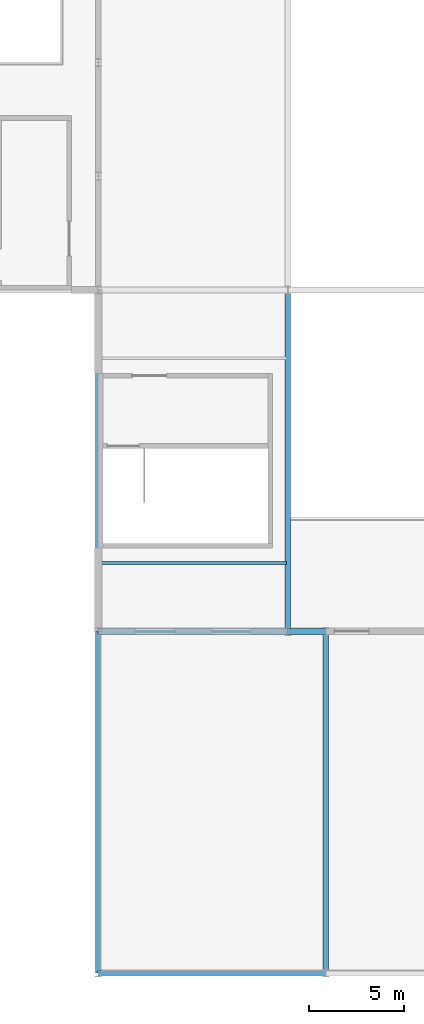
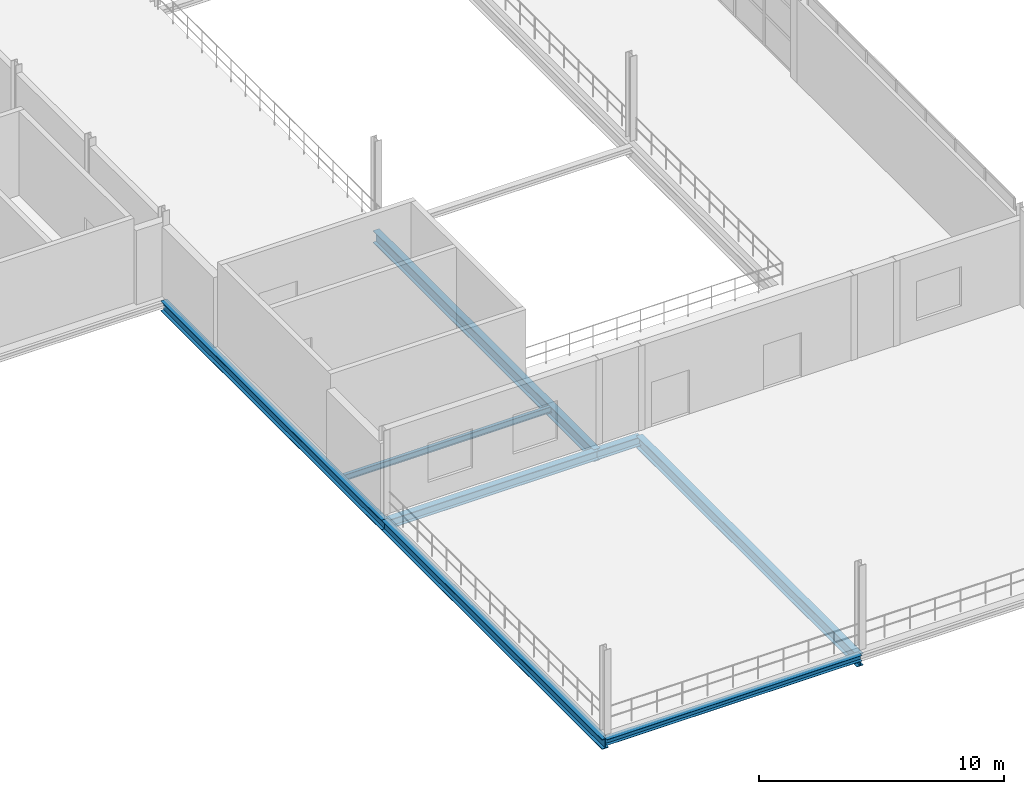
# One storey, part 27 of 147: 8 beams.
"""IFC4 building model written with IfcOpenShell, lengths in metres."""

from ifc_helpers import new_model, si_unit, direction, frame, origin, origin_2d, place, context, subcontext, project, spatial, i_section, extrude, material, material_profile, profile_set, type_object, element, save


model = new_model("IFC4")

# Units and contexts
model_context = context("Model", 3, precision=1e-05, world=origin(), true_north=direction((0.0, 1.0)))
body_context = subcontext(model_context, "Body", "Model", "MODEL_VIEW")
ifc_project = project(units=[si_unit("LENGTHUNIT", "METRE"), si_unit("AREAUNIT", "SQUARE_METRE"), si_unit("VOLUMEUNIT", "CUBIC_METRE"), si_unit("PLANEANGLEUNIT", "RADIAN"), si_unit("MASSUNIT", "GRAM", prefix="KILO")], contexts=[model_context])

# Site, building, storey
site_placement = place(None, origin())
site = spatial("IfcSite", under=ifc_project, at=site_placement, CompositionType="ELEMENT")
building_placement = place(site_placement, origin())
building = spatial("IfcBuilding", under=site, at=building_placement, Name="Zilviju Railside Exhibition Hall", CompositionType="ELEMENT")
storey_placement = place(building_placement, frame((0.0, 0.0, 8.39990234375)))
storey = spatial("IfcBuildingStorey", under=building, at=storey_placement, Name="L03", CompositionType="ELEMENT", Elevation=8.39990234375)

# Beams
ifc_material = material(Name="Steel S355J2", Category="steel")
ifc_material_profile_1 = material_profile(ifc_material, i_section(OverallWidth=0.300048828125, OverallDepth=0.2900390625, WebThickness=0.008544921875, FlangeThickness=0.013916015625, at=origin_2d()), Name="HEA 300")
ifc_profile_set_1 = profile_set([ifc_material_profile_1], Name="Steel S355J2")
beam_type_1 = type_object("IfcBeamType", Name="BM-HEA300", PredefinedType="SPANDREL", material=ifc_profile_set_1)
beam_1_placement = place(storey_placement, frame((48.0, 0.0, -0.46484375), z_axis=(1.0, 0.0, 0.0), x_axis=(0.0, 1.0, 0.0)))
element("IfcBeam", 1, at=beam_1_placement, inside=storey, type_object=beam_type_1, Name="Primary Girder L03 Y=0.0 (48.0..60.0)", PredefinedType="SPANDREL", context=body_context, shape_type="SweptSolid", body=[
    extrude(i_section(OverallWidth=0.300048828125, OverallDepth=0.2900390625, WebThickness=0.008544921875, FlangeThickness=0.013916015625, at=origin_2d()), origin(), (0.0, 0.0, 1.0), 12.0),
])
ifc_material_profile_2 = material_profile(ifc_material, i_section(OverallWidth=0.300048828125, OverallDepth=0.449951171875, WebThickness=0.013916015625, FlangeThickness=0.02587890625, at=origin_2d()), Name="HEB 450")
ifc_profile_set_2 = profile_set([ifc_material_profile_2], Name="Steel S355J2")
beam_type_2 = type_object("IfcBeamType", Name="BM-HEB450", PredefinedType="BEAM", material=ifc_profile_set_2)
beam_2_placement = place(storey_placement, frame((48.0, 18.0, -0.574951171875), z_axis=(1.0, 0.0, 0.0), x_axis=(0.0, 1.0, 0.0)))
element("IfcBeam", 2, at=beam_2_placement, inside=storey, type_object=beam_type_2, Name="Primary Girder L03 Y=18.0 (48.0..58.0)", PredefinedType="BEAM", context=body_context, shape_type="SweptSolid", body=[
    extrude(i_section(OverallWidth=0.300048828125, OverallDepth=0.449951171875, WebThickness=0.013916015625, FlangeThickness=0.02587890625, at=origin_2d()), origin(), (0.0, 0.0, 1.0), 10.0),
])
beam_3_placement = place(storey_placement, frame((58.0, 18.0, -0.574951171875), z_axis=(1.0, 0.0, 0.0), x_axis=(0.0, 1.0, 0.0)))
element("IfcBeam", 3, at=beam_3_placement, inside=storey, type_object=beam_type_2, Name="Primary Girder L03 Y=18.0 (58.0..60.0)", PredefinedType="BEAM", context=body_context, shape_type="SweptSolid", body=[
    extrude(i_section(OverallWidth=0.300048828125, OverallDepth=0.449951171875, WebThickness=0.013916015625, FlangeThickness=0.02587890625, at=origin_2d()), origin(), (0.0, 0.0, 1.0), 2.0),
])
ifc_material_profile_3 = material_profile(ifc_material, i_section(OverallWidth=0.300048828125, OverallDepth=0.5, WebThickness=0.014404296875, FlangeThickness=0.028076171875, at=origin_2d()), Name="HEB 500")
ifc_profile_set_3 = profile_set([ifc_material_profile_3], Name="Steel S355J2")
beam_type_3 = type_object("IfcBeamType", Name="BM-HEB500", PredefinedType="BEAM", material=ifc_profile_set_3)
for number, where, z_axis, x_axis, name in (
    (4, (48.0, 0.0, -0.599853515625), (0.0, 1.0, 0.0), (-1.0, 0.0, 0.0), "Transverse Girder L03 X=48.0 (0.0..18.0)"),
    (5, (48.0, 18.0, -0.599853515625), (0.0, 1.0, 0.0), (-1.0, 0.0, 0.0), "Transverse Girder L03 X=48.0 (18.0..36.0)"),
):
    element("IfcBeam", number, at=place(storey_placement, frame(where, z_axis=z_axis, x_axis=x_axis)), inside=storey, type_object=beam_type_3, Name=name, PredefinedType="BEAM", context=body_context, shape_type="SweptSolid", body=[
        extrude(i_section(OverallWidth=0.300048828125, OverallDepth=0.5, WebThickness=0.014404296875, FlangeThickness=0.028076171875, at=origin_2d()), origin(), (0.0, 0.0, 1.0), 18.0),
    ])
ifc_material_profile_4 = material_profile(ifc_material, i_section(OverallWidth=0.300048828125, OverallDepth=0.60009765625, WebThickness=0.015380859375, FlangeThickness=0.030029296875, at=origin_2d()), Name="HEB 600")
ifc_profile_set_4 = profile_set([ifc_material_profile_4], Name="Steel S355J2")
beam_type_4 = type_object("IfcBeamType", Name="BM-HEB600", PredefinedType="BEAM", material=ifc_profile_set_4)
for number, where, z_axis, x_axis, name in (
    (6, (58.0, 18.0, -0.64990234375), (0.0, 1.0, 0.0), (-1.0, 0.0, 0.0), "Transverse Girder L03 X=58.0 (18.0..36.0)"),
    (7, (60.0, 0.0, -0.64990234375), (0.0, 1.0, 0.0), (-1.0, 0.0, 0.0), "Transverse Girder L03 X=60.0 (0.0..18.0)"),
):
    element("IfcBeam", number, at=place(storey_placement, frame(where, z_axis=z_axis, x_axis=x_axis)), inside=storey, type_object=beam_type_4, Name=name, PredefinedType="BEAM", context=body_context, shape_type="SweptSolid", body=[
        extrude(i_section(OverallWidth=0.300048828125, OverallDepth=0.60009765625, WebThickness=0.015380859375, FlangeThickness=0.030029296875, at=origin_2d()), origin(), (0.0, 0.0, 1.0), 18.0),
    ])
ifc_material_profile_5 = material_profile(ifc_material, i_section(OverallWidth=0.14990234375, OverallDepth=0.300048828125, WebThickness=0.007080078125, FlangeThickness=0.0107421875, at=origin_2d()), Name="IPE 300")
ifc_profile_set_5 = profile_set([ifc_material_profile_5], Name="Steel S355J2")
beam_type_5 = type_object("IfcBeamType", Name="BM-IPE300", PredefinedType="JOIST", material=ifc_profile_set_5)
beam_4_placement = place(storey_placement, frame((48.080078125, 21.60009765625, -0.5), z_axis=(1.0, 0.0, 0.0), x_axis=(0.0, 1.0, 0.0)))
element("IfcBeam", 8, at=beam_4_placement, inside=storey, type_object=beam_type_5, Name="Composite Floor Joist L03 Y=21.60 (48.0..58.0)", PredefinedType="JOIST", context=body_context, shape_type="SweptSolid", body=[
    extrude(i_section(OverallWidth=0.14990234375, OverallDepth=0.300048828125, WebThickness=0.007080078125, FlangeThickness=0.0107421875, at=origin_2d()), origin(), (0.0, 0.0, 1.0), 9.83984375),
])

save(model, "model.ifc")
